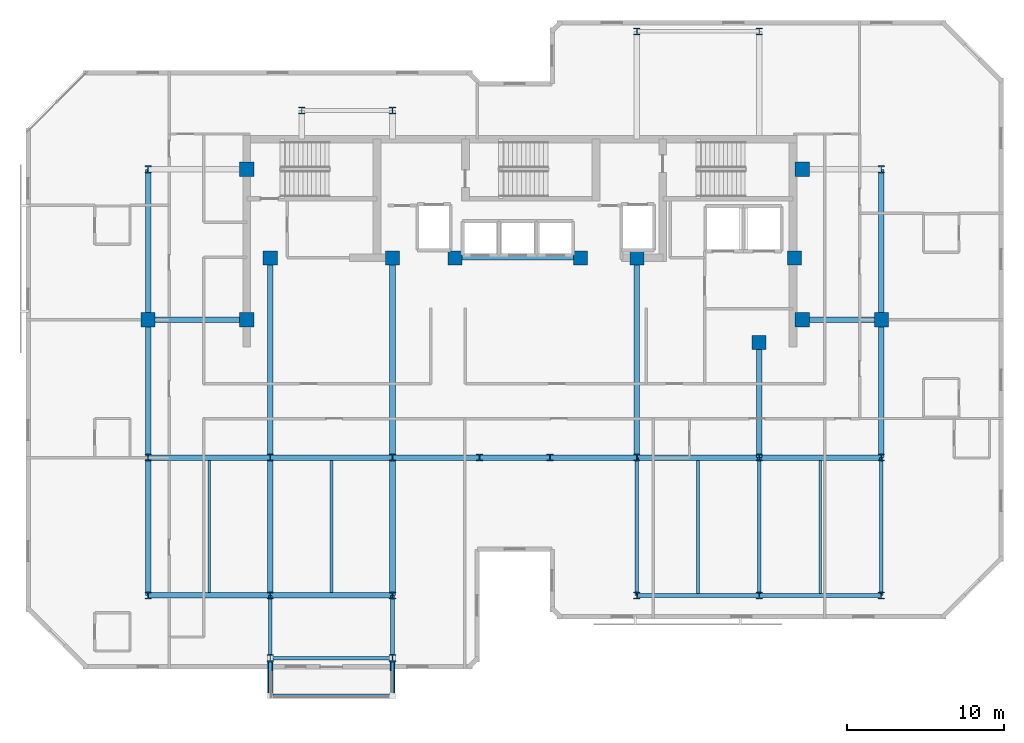
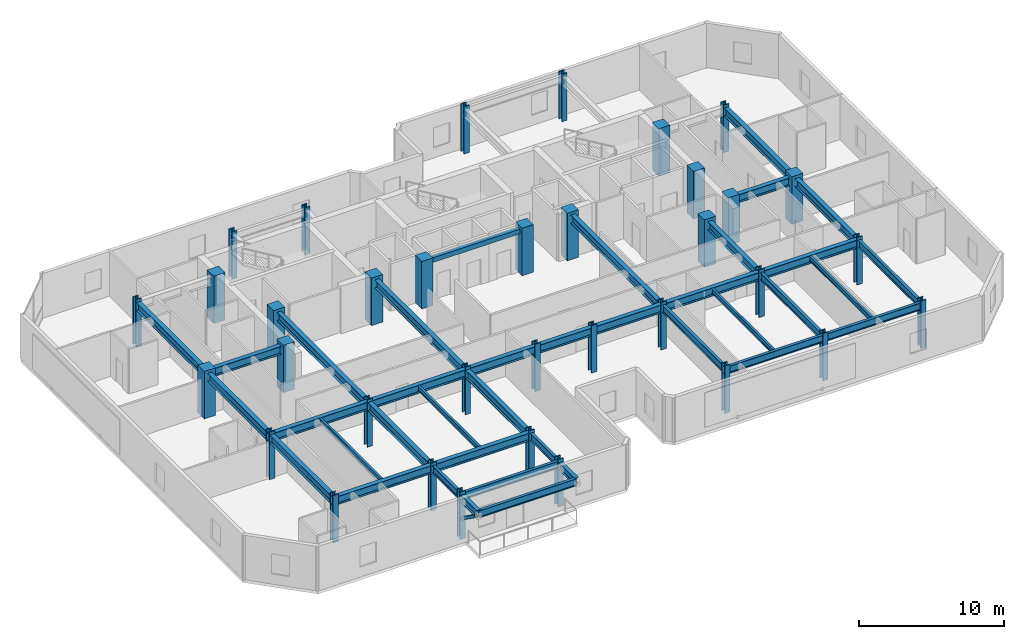
# One storey, part 1 of 10: 38 beams, 35 columns, 2 members.
"""IFC4 building model written with IfcOpenShell, lengths in metres."""

from ifc_helpers import new_model, si_unit, direction, frame, origin, origin_2d, place, context, subcontext, project, spatial, rectangle, hollow_rectangle, i_section, extrude, material, material_profile, profile_set, type_object, element, save


model = new_model("IFC4")

# Units and contexts
model_context = context("Model", 3, precision=1e-05, world=origin(), true_north=direction((0.0, 1.0)))
body_context = subcontext(model_context, "Body", "Model", "MODEL_VIEW")
ifc_project = project(units=[si_unit("LENGTHUNIT", "METRE"), si_unit("AREAUNIT", "SQUARE_METRE"), si_unit("VOLUMEUNIT", "CUBIC_METRE"), si_unit("PLANEANGLEUNIT", "RADIAN"), si_unit("MASSUNIT", "GRAM", prefix="KILO")], contexts=[model_context])

# Site, building, storey
site_placement = place(None, origin())
site = spatial("IfcSite", under=ifc_project, at=site_placement, CompositionType="ELEMENT")
building_placement = place(site_placement, origin())
building = spatial("IfcBuilding", under=site, at=building_placement, Name="Kestravale Grand Hotel", CompositionType="ELEMENT")
storey_placement = place(building_placement, frame((0.0, 0.0, 277.39990234375)))
storey = spatial("IfcBuildingStorey", under=building, at=storey_placement, Name="L69", CompositionType="ELEMENT", Elevation=277.39990234375)

# Columns
ifc_material_1 = material(Name="Concrete f'c 50 MPa", Category="concrete")
ifc_material_profile_1 = material_profile(ifc_material_1, rectangle(XDim=0.89990234375, YDim=0.89990234375, at=origin_2d()))
ifc_profile_set_1 = profile_set([ifc_material_profile_1], Name="Concrete f'c 50 MPa")
column_type_1 = type_object("IfcColumnType", Name="C-Z4-900", PredefinedType="COLUMN", material=ifc_profile_set_1)
for number, where, z_axis, x_axis, name in (
    (1, (15.60009765625, 28.800048828125, 0.0), (0.0, 0.0, 1.0), (1.0, 0.0, 0.0), "L69 column 3-E"),
    (2, (62.39990234375, 28.800048828125, 0.0), (0.0, 0.0, 1.0), (1.0, 0.0, 0.0), "L69 column 10-E"),
    (3, (21.89990234375, 28.800048828125, 0.0), (0.0, 0.0, 1.0), (1.0, 0.0, 0.0), "L69 column CW-E"),
    (4, (21.89990234375, 38.39990234375, 0.0), (0.0, 0.0, 1.0), (1.0, 0.0, 0.0), "L69 column CW-F"),
    (5, (57.35009765625, 28.800048828125, 0.0), (0.0, 0.0, 1.0), (1.0, 0.0, 0.0), "L69 column CE-E"),
    (6, (57.35009765625, 38.39990234375, 0.0), (0.0, 0.0, 1.0), (1.0, 0.0, 0.0), "L69 column CE-F"),
    (7, (23.39990234375, 32.75, 0.0), (0.0, 0.0, 1.0), (1.0, 0.0, 0.0), "L69 column 4-CS"),
    (8, (31.199951171875, 32.75, 0.0), (0.0, 0.0, 1.0), (1.0, 0.0, 0.0), "L69 column 5-CS"),
    (9, (35.199951171875, 32.75, 0.0), (0.0, 0.0, 1.0), (1.0, 0.0, 0.0), "L69 column 6C-CS"),
    (10, (43.199951171875, 32.75, 0.0), (0.0, 0.0, 1.0), (1.0, 0.0, 0.0), "L69 column 7C-CS"),
    (11, (46.800048828125, 32.75, 0.0), (0.0, 0.0, 1.0), (1.0, 0.0, 0.0), "L69 column 8-CS"),
    (12, (54.60009765625, 27.35009765625, 0.0), (0.0, 0.0, 1.0), (1.0, 0.0, 0.0), "L69 column 9-CS"),
    (13, (56.85009765625, 32.75, 0.0), (0.0, 0.0, 1.0), (1.0, 0.0, 0.0), "L69 column 9C-CS"),
):
    element("IfcColumn", number, at=place(storey_placement, frame(where, z_axis=z_axis, x_axis=x_axis)), inside=storey, type_object=column_type_1, Name=name, PredefinedType="COLUMN", context=body_context, shape_type="SweptSolid", body=[
        extrude(rectangle(XDim=0.89990234375, YDim=0.89990234375, at=origin_2d()), origin(), (0.0, 0.0, 1.0), 4.0),
    ])
ifc_material_2 = material(Name="Steel ASTM A992 Grade 50", Category="steel")
ifc_material_profile_2 = material_profile(ifc_material_2, i_section(OverallWidth=0.422119140625, OverallDepth=0.465087890625, WebThickness=0.044921875, FlangeThickness=0.072509765625, FilletRadius=0.0166015625, at=origin_2d()))
ifc_profile_set_2 = profile_set([ifc_material_profile_2], Name="Steel ASTM A992 Grade 50")
column_type_2 = type_object("IfcColumnType", Name="C-Z4-W14X398", PredefinedType="COLUMN", material=ifc_profile_set_2)
for number, where, z_axis, x_axis, name in (
    (14, (15.60009765625, 11.199951171875, 0.0), (0.0, 0.0, 1.0), (1.0, 0.0, 0.0), "L69 column 3-C"),
    (15, (15.60009765625, 20.0, 0.0), (0.0, 0.0, 1.0), (1.0, 0.0, 0.0), "L69 column 3-D"),
    (16, (15.60009765625, 38.39990234375, 0.0), (0.0, 0.0, 1.0), (1.0, 0.0, 0.0), "L69 column 3-F"),
    (17, (23.39990234375, 11.199951171875, 0.0), (0.0, 0.0, 1.0), (1.0, 0.0, 0.0), "L69 column 4-C"),
    (18, (23.39990234375, 20.0, 0.0), (0.0, 0.0, 1.0), (1.0, 0.0, 0.0), "L69 column 4-D"),
    (19, (31.199951171875, 11.199951171875, 0.0), (0.0, 0.0, 1.0), (1.0, 0.0, 0.0), "L69 column 5-C"),
    (20, (31.199951171875, 20.0, 0.0), (0.0, 0.0, 1.0), (1.0, 0.0, 0.0), "L69 column 5-D"),
    (21, (36.75, 20.0, 0.0), (0.0, 0.0, 1.0), (1.0, 0.0, 0.0), "L69 column 6-D"),
    (22, (41.25, 20.0, 0.0), (0.0, 0.0, 1.0), (1.0, 0.0, 0.0), "L69 column 7-D"),
    (23, (46.800048828125, 11.199951171875, 0.0), (0.0, 0.0, 1.0), (1.0, 0.0, 0.0), "L69 column 8-C"),
    (24, (46.800048828125, 20.0, 0.0), (0.0, 0.0, 1.0), (1.0, 0.0, 0.0), "L69 column 8-D"),
    (25, (46.800048828125, 47.199951171875, 0.0), (0.0, 0.0, 1.0), (1.0, 0.0, 0.0), "L69 column 8-G"),
    (26, (54.60009765625, 11.199951171875, 0.0), (0.0, 0.0, 1.0), (1.0, 0.0, 0.0), "L69 column 9-C"),
    (27, (54.60009765625, 20.0, 0.0), (0.0, 0.0, 1.0), (1.0, 0.0, 0.0), "L69 column 9-D"),
    (28, (54.60009765625, 47.199951171875, 0.0), (0.0, 0.0, 1.0), (1.0, 0.0, 0.0), "L69 column 9-G"),
    (29, (62.39990234375, 11.199951171875, 0.0), (0.0, 0.0, 1.0), (1.0, 0.0, 0.0), "L69 column 10-C"),
    (30, (62.39990234375, 20.0, 0.0), (0.0, 0.0, 1.0), (1.0, 0.0, 0.0), "L69 column 10-D"),
    (31, (62.39990234375, 38.39990234375, 0.0), (0.0, 0.0, 1.0), (1.0, 0.0, 0.0), "L69 column 10-F"),
    (32, (23.39990234375, 7.199951171875, 0.0), (0.0, 0.0, 1.0), (1.0, 0.0, 0.0), "L69 column 4-BS"),
    (33, (31.199951171875, 7.199951171875, 0.0), (0.0, 0.0, 1.0), (1.0, 0.0, 0.0), "L69 column 5-BS"),
    (34, (25.39990234375, 42.14990234375, 0.0), (0.0, 0.0, 1.0), (1.0, 0.0, 0.0), "L69 column 4-FN"),
    (35, (31.199951171875, 42.14990234375, 0.0), (0.0, 0.0, 1.0), (1.0, 0.0, 0.0), "L69 column 5-FN"),
):
    element("IfcColumn", number, at=place(storey_placement, frame(where, z_axis=z_axis, x_axis=x_axis)), inside=storey, type_object=column_type_2, Name=name, PredefinedType="COLUMN", context=body_context, shape_type="SweptSolid", body=[
        extrude(i_section(OverallWidth=0.422119140625, OverallDepth=0.465087890625, WebThickness=0.044921875, FlangeThickness=0.072509765625, FilletRadius=0.0166015625, at=origin_2d()), origin(), (0.0, 0.0, 1.0), 4.0),
    ])

# Beams
ifc_material_3 = material(Name="Steel ASTM A992 Grade 50", Category="steel")
ifc_material_profile_3 = material_profile(ifc_material_3, i_section(OverallWidth=0.177978515625, OverallDepth=0.404052734375, WebThickness=0.007568359375, FlangeThickness=0.010986328125, FilletRadius=0.01416015625, at=origin_2d()))
ifc_profile_set_3 = profile_set([ifc_material_profile_3], Name="Steel ASTM A992 Grade 50")
beam_type_1 = type_object("IfcBeamType", Name="B-FLR-JST16", PredefinedType="JOIST", material=ifc_profile_set_3)
for number, where, z_axis, x_axis, name in (
    (36, (19.5, 11.3779296875, 3.55810546875), (0.0, 1.0, 0.0), (-1.0, 0.0, 0.0), "L69 floor joist 3-4/C-D #1"),
    (37, (27.300048828125, 11.3779296875, 3.55810546875), (0.0, 1.0, 0.0), (-1.0, 0.0, 0.0), "L69 floor joist 4-5/C-D #1"),
):
    element("IfcBeam", number, at=place(storey_placement, frame(where, z_axis=z_axis, x_axis=x_axis)), inside=storey, type_object=beam_type_1, Name=name, PredefinedType="JOIST", context=body_context, shape_type="SweptSolid", body=[
        extrude(i_section(OverallWidth=0.177978515625, OverallDepth=0.404052734375, WebThickness=0.007568359375, FlangeThickness=0.010986328125, FilletRadius=0.01416015625, at=origin_2d()), origin(), (0.0, 0.0, 1.0), 8.444091796875),
    ])
for number, where, z_axis, x_axis, name in (
    (38, (50.699951171875, 11.314453125, 3.55810546875), (0.0, 1.0, 0.0), (-1.0, 0.0, 0.0), "L69 floor joist 8-9/C-D #1"),
    (39, (58.5, 11.314453125, 3.55810546875), (0.0, 1.0, 0.0), (-1.0, 0.0, 0.0), "L69 floor joist 9-10/C-D #1"),
):
    element("IfcBeam", number, at=place(storey_placement, frame(where, z_axis=z_axis, x_axis=x_axis)), inside=storey, type_object=beam_type_1, Name=name, PredefinedType="JOIST", context=body_context, shape_type="SweptSolid", body=[
        extrude(i_section(OverallWidth=0.177978515625, OverallDepth=0.404052734375, WebThickness=0.007568359375, FlangeThickness=0.010986328125, FilletRadius=0.01416015625, at=origin_2d()), origin(), (0.0, 0.0, 1.0), 8.507568359375),
    ])
ifc_material_4 = material(Name="Concrete f'c 45 MPa", Category="concrete")
ifc_material_profile_4 = material_profile(ifc_material_4, rectangle(XDim=0.300048828125, YDim=0.39990234375, at=origin_2d()))
ifc_profile_set_4 = profile_set([ifc_material_profile_4], Name="Concrete f'c 45 MPa")
beam_type_2 = type_object("IfcBeamType", Name="B-FLR-LNT400", PredefinedType="LINTEL", material=ifc_profile_set_4)
beam_1_placement = place(storey_placement, frame((35.199951171875, 32.75, 3.56005859375), z_axis=(1.0, 0.0, 0.0), x_axis=(0.0, 1.0, 0.0)))
element("IfcBeam", 40, at=beam_1_placement, inside=storey, type_object=beam_type_2, Name="L69 core portal header lintel", PredefinedType="LINTEL", context=body_context, shape_type="SweptSolid", body=[
    extrude(rectangle(XDim=0.300048828125, YDim=0.39990234375, at=origin_2d()), origin(), (0.0, 0.0, 1.0), 8.0),
])
ifc_material_5 = material(Name="Steel ASTM A992 Grade 50", Category="steel")
ifc_material_profile_5 = material_profile(ifc_material_5, i_section(OverallWidth=0.324951171875, OverallDepth=0.612060546875, WebThickness=0.0126953125, FlangeThickness=0.01904296875, FilletRadius=0.018798828125, at=origin_2d()))
ifc_profile_set_5 = profile_set([ifc_material_profile_5], Name="Steel ASTM A992 Grade 50")
beam_type_3 = type_object("IfcBeamType", Name="B-FLR-W24A", PredefinedType="SPANDREL", material=ifc_profile_set_5)
for number, where, z_axis, x_axis, name in (
    (41, (23.39990234375, 7.199951171875, 3.424072265625), (0.0, -1.0, 0.0), (1.0, 0.0, 0.0), "L70 terrace cantilever beam 1"),
    (42, (31.199951171875, 7.199951171875, 3.424072265625), (0.0, -1.0, 0.0), (1.0, 0.0, 0.0), "L70 terrace cantilever beam 2"),
):
    element("IfcBeam", number, at=place(storey_placement, frame(where, z_axis=z_axis, x_axis=x_axis)), inside=storey, type_object=beam_type_3, Name=name, PredefinedType="SPANDREL", context=body_context, shape_type="SweptSolid", body=[
        extrude(i_section(OverallWidth=0.324951171875, OverallDepth=0.612060546875, WebThickness=0.0126953125, FlangeThickness=0.01904296875, FilletRadius=0.018798828125, at=origin_2d()), origin(), (0.0, 0.0, 1.0), 2.39990234375),
    ])
ifc_material_6 = material(Name="Steel ASTM A992 Grade 50", Category="steel")
ifc_material_profile_6 = material_profile(ifc_material_6, i_section(OverallWidth=0.22900390625, OverallDepth=0.612060546875, WebThickness=0.011962890625, FlangeThickness=0.01953125, FilletRadius=0.019287109375, at=origin_2d()))
ifc_profile_set_6 = profile_set([ifc_material_profile_6], Name="Steel ASTM A992 Grade 50")
beam_type_4 = type_object("IfcBeamType", Name="B-FLR-W24B", PredefinedType="SPANDREL", material=ifc_profile_set_6)
beam_2_placement = place(storey_placement, frame((46.800048828125, 11.199951171875, 3.4541015625), z_axis=(1.0, 0.0, 0.0), x_axis=(0.0, 1.0, 0.0)))
element("IfcBeam", 43, at=beam_2_placement, inside=storey, type_object=beam_type_4, Name="L69 spandrel C:8-9", PredefinedType="SPANDREL", context=body_context, shape_type="SweptSolid", body=[
    extrude(i_section(OverallWidth=0.22900390625, OverallDepth=0.612060546875, WebThickness=0.011962890625, FlangeThickness=0.01953125, FilletRadius=0.019287109375, at=origin_2d()), origin(), (0.0, 0.0, 1.0), 7.800048828125),
])
beam_3_placement = place(storey_placement, frame((54.60009765625, 11.199951171875, 3.4541015625), z_axis=(1.0, 0.0, 0.0), x_axis=(0.0, 1.0, 0.0)))
element("IfcBeam", 44, at=beam_3_placement, inside=storey, type_object=beam_type_4, Name="L69 spandrel C:9-10", PredefinedType="SPANDREL", context=body_context, shape_type="SweptSolid", body=[
    extrude(i_section(OverallWidth=0.22900390625, OverallDepth=0.612060546875, WebThickness=0.011962890625, FlangeThickness=0.01953125, FilletRadius=0.019287109375, at=origin_2d()), origin(), (0.0, 0.0, 1.0), 7.7998046875),
])
beam_4_placement = place(storey_placement, frame((23.39990234375, 7.199951171875, 3.4541015625), z_axis=(1.0, 0.0, 0.0), x_axis=(0.0, 1.0, 0.0)))
element("IfcBeam", 45, at=beam_4_placement, inside=storey, type_object=beam_type_4, Name="L69 perimeter tie spandrel BS:4-5", PredefinedType="SPANDREL", context=body_context, shape_type="SweptSolid", body=[
    extrude(i_section(OverallWidth=0.22900390625, OverallDepth=0.612060546875, WebThickness=0.011962890625, FlangeThickness=0.01953125, FilletRadius=0.019287109375, at=origin_2d()), origin(), (0.0, 0.0, 1.0), 7.800048828125),
])
for number, where, z_axis, x_axis, name in (
    (46, (23.39990234375, 7.199951171875, 3.4541015625), (0.0, 1.0, 0.0), (-1.0, 0.0, 0.0), "L69 spandrel 4:BS-C"),
    (47, (31.199951171875, 7.199951171875, 3.4541015625), (0.0, 1.0, 0.0), (-1.0, 0.0, 0.0), "L69 spandrel 5:BS-C"),
):
    element("IfcBeam", number, at=place(storey_placement, frame(where, z_axis=z_axis, x_axis=x_axis)), inside=storey, type_object=beam_type_4, Name=name, PredefinedType="SPANDREL", context=body_context, shape_type="SweptSolid", body=[
        extrude(i_section(OverallWidth=0.22900390625, OverallDepth=0.612060546875, WebThickness=0.011962890625, FlangeThickness=0.01953125, FilletRadius=0.019287109375, at=origin_2d()), origin(), (0.0, 0.0, 1.0), 4.0),
    ])
for number, where, z_axis, x_axis, name in (
    (48, (46.800048828125, 11.199951171875, 3.4541015625), (0.0, 1.0, 0.0), (-1.0, 0.0, 0.0), "L69 spandrel 8:C-D"),
    (49, (54.60009765625, 11.199951171875, 3.4541015625), (0.0, 1.0, 0.0), (-1.0, 0.0, 0.0), "L69 spandrel 9:C-D"),
    (50, (62.39990234375, 11.199951171875, 3.4541015625), (0.0, 1.0, 0.0), (-1.0, 0.0, 0.0), "L69 spandrel 10:C-D"),
):
    element("IfcBeam", number, at=place(storey_placement, frame(where, z_axis=z_axis, x_axis=x_axis)), inside=storey, type_object=beam_type_4, Name=name, PredefinedType="SPANDREL", context=body_context, shape_type="SweptSolid", body=[
        extrude(i_section(OverallWidth=0.22900390625, OverallDepth=0.612060546875, WebThickness=0.011962890625, FlangeThickness=0.01953125, FilletRadius=0.019287109375, at=origin_2d()), origin(), (0.0, 0.0, 1.0), 8.800048828125),
    ])
beam_5_placement = place(storey_placement, frame((23.39990234375, 4.800048828125, 3.424072265625), z_axis=(1.0, 0.0, 0.0), x_axis=(0.0, 1.0, 0.0)))
element("IfcBeam", 51, at=beam_5_placement, inside=storey, type_object=beam_type_4, Name="L70 terrace edge spandrel", PredefinedType="SPANDREL", context=body_context, shape_type="SweptSolid", body=[
    extrude(i_section(OverallWidth=0.22900390625, OverallDepth=0.612060546875, WebThickness=0.011962890625, FlangeThickness=0.01953125, FilletRadius=0.019287109375, at=origin_2d()), origin(), (0.0, 0.0, 1.0), 7.800048828125),
])
ifc_material_7 = material(Name="Steel ASTM A992 Grade 50", Category="steel")
ifc_material_profile_7 = material_profile(ifc_material_7, i_section(OverallWidth=0.35595703125, OverallDepth=0.696044921875, WebThickness=0.015380859375, FlangeThickness=0.02490234375, FilletRadius=0.021240234375, at=origin_2d()))
ifc_profile_set_7 = profile_set([ifc_material_profile_7], Name="Steel ASTM A992 Grade 50")
beam_type_5 = type_object("IfcBeamType", Name="B-GRD-W27", PredefinedType="BEAM", material=ifc_profile_set_7)
beam_6_placement = place(storey_placement, frame((15.60009765625, 11.199951171875, 3.412109375), z_axis=(1.0, 0.0, 0.0), x_axis=(0.0, 1.0, 0.0)))
element("IfcBeam", 52, at=beam_6_placement, inside=storey, type_object=beam_type_5, Name="L69 girder C:3-4", PredefinedType="BEAM", context=body_context, shape_type="SweptSolid", body=[
    extrude(i_section(OverallWidth=0.35595703125, OverallDepth=0.696044921875, WebThickness=0.015380859375, FlangeThickness=0.02490234375, FilletRadius=0.021240234375, at=origin_2d()), origin(), (0.0, 0.0, 1.0), 7.7998046875),
])
beam_7_placement = place(storey_placement, frame((23.39990234375, 11.199951171875, 3.412109375), z_axis=(1.0, 0.0, 0.0), x_axis=(0.0, 1.0, 0.0)))
element("IfcBeam", 53, at=beam_7_placement, inside=storey, type_object=beam_type_5, Name="L69 girder C:4-5", PredefinedType="BEAM", context=body_context, shape_type="SweptSolid", body=[
    extrude(i_section(OverallWidth=0.35595703125, OverallDepth=0.696044921875, WebThickness=0.015380859375, FlangeThickness=0.02490234375, FilletRadius=0.021240234375, at=origin_2d()), origin(), (0.0, 0.0, 1.0), 7.800048828125),
])
beam_8_placement = place(storey_placement, frame((15.60009765625, 20.0, 3.412109375), z_axis=(1.0, 0.0, 0.0), x_axis=(0.0, 1.0, 0.0)))
element("IfcBeam", 54, at=beam_8_placement, inside=storey, type_object=beam_type_5, Name="L69 girder D:3-4", PredefinedType="BEAM", context=body_context, shape_type="SweptSolid", body=[
    extrude(i_section(OverallWidth=0.35595703125, OverallDepth=0.696044921875, WebThickness=0.015380859375, FlangeThickness=0.02490234375, FilletRadius=0.021240234375, at=origin_2d()), origin(), (0.0, 0.0, 1.0), 7.7998046875),
])
beam_9_placement = place(storey_placement, frame((23.39990234375, 20.0, 3.412109375), z_axis=(1.0, 0.0, 0.0), x_axis=(0.0, 1.0, 0.0)))
element("IfcBeam", 55, at=beam_9_placement, inside=storey, type_object=beam_type_5, Name="L69 girder D:4-5", PredefinedType="BEAM", context=body_context, shape_type="SweptSolid", body=[
    extrude(i_section(OverallWidth=0.35595703125, OverallDepth=0.696044921875, WebThickness=0.015380859375, FlangeThickness=0.02490234375, FilletRadius=0.021240234375, at=origin_2d()), origin(), (0.0, 0.0, 1.0), 7.800048828125),
])
beam_10_placement = place(storey_placement, frame((31.199951171875, 20.0, 3.412109375), z_axis=(1.0, 0.0, 0.0), x_axis=(0.0, 1.0, 0.0)))
element("IfcBeam", 56, at=beam_10_placement, inside=storey, type_object=beam_type_5, Name="L69 girder D:5-6", PredefinedType="BEAM", context=body_context, shape_type="SweptSolid", body=[
    extrude(i_section(OverallWidth=0.35595703125, OverallDepth=0.696044921875, WebThickness=0.015380859375, FlangeThickness=0.02490234375, FilletRadius=0.021240234375, at=origin_2d()), origin(), (0.0, 0.0, 1.0), 5.550048828125),
])
beam_11_placement = place(storey_placement, frame((36.75, 20.0, 3.412109375), z_axis=(1.0, 0.0, 0.0), x_axis=(0.0, 1.0, 0.0)))
element("IfcBeam", 57, at=beam_11_placement, inside=storey, type_object=beam_type_5, Name="L69 girder D:6-7", PredefinedType="BEAM", context=body_context, shape_type="SweptSolid", body=[
    extrude(i_section(OverallWidth=0.35595703125, OverallDepth=0.696044921875, WebThickness=0.015380859375, FlangeThickness=0.02490234375, FilletRadius=0.021240234375, at=origin_2d()), origin(), (0.0, 0.0, 1.0), 4.5),
])
beam_12_placement = place(storey_placement, frame((41.25, 20.0, 3.412109375), z_axis=(1.0, 0.0, 0.0), x_axis=(0.0, 1.0, 0.0)))
element("IfcBeam", 58, at=beam_12_placement, inside=storey, type_object=beam_type_5, Name="L69 girder D:7-8", PredefinedType="BEAM", context=body_context, shape_type="SweptSolid", body=[
    extrude(i_section(OverallWidth=0.35595703125, OverallDepth=0.696044921875, WebThickness=0.015380859375, FlangeThickness=0.02490234375, FilletRadius=0.021240234375, at=origin_2d()), origin(), (0.0, 0.0, 1.0), 5.550048828125),
])
beam_13_placement = place(storey_placement, frame((46.800048828125, 20.0, 3.412109375), z_axis=(1.0, 0.0, 0.0), x_axis=(0.0, 1.0, 0.0)))
element("IfcBeam", 59, at=beam_13_placement, inside=storey, type_object=beam_type_5, Name="L69 girder D:8-9", PredefinedType="BEAM", context=body_context, shape_type="SweptSolid", body=[
    extrude(i_section(OverallWidth=0.35595703125, OverallDepth=0.696044921875, WebThickness=0.015380859375, FlangeThickness=0.02490234375, FilletRadius=0.021240234375, at=origin_2d()), origin(), (0.0, 0.0, 1.0), 7.800048828125),
])
beam_14_placement = place(storey_placement, frame((54.60009765625, 20.0, 3.412109375), z_axis=(1.0, 0.0, 0.0), x_axis=(0.0, 1.0, 0.0)))
element("IfcBeam", 60, at=beam_14_placement, inside=storey, type_object=beam_type_5, Name="L69 girder D:9-10", PredefinedType="BEAM", context=body_context, shape_type="SweptSolid", body=[
    extrude(i_section(OverallWidth=0.35595703125, OverallDepth=0.696044921875, WebThickness=0.015380859375, FlangeThickness=0.02490234375, FilletRadius=0.021240234375, at=origin_2d()), origin(), (0.0, 0.0, 1.0), 7.7998046875),
])
beam_15_placement = place(storey_placement, frame((15.60009765625, 28.800048828125, 3.412109375), z_axis=(1.0, 0.0, 0.0), x_axis=(0.0, 1.0, 0.0)))
element("IfcBeam", 61, at=beam_15_placement, inside=storey, type_object=beam_type_5, Name="L69 girder E:3-CW", PredefinedType="BEAM", context=body_context, shape_type="SweptSolid", body=[
    extrude(i_section(OverallWidth=0.35595703125, OverallDepth=0.696044921875, WebThickness=0.015380859375, FlangeThickness=0.02490234375, FilletRadius=0.021240234375, at=origin_2d()), origin(), (0.0, 0.0, 1.0), 6.2998046875),
])
beam_16_placement = place(storey_placement, frame((57.35009765625, 28.800048828125, 3.412109375), z_axis=(1.0, 0.0, 0.0), x_axis=(0.0, 1.0, 0.0)))
element("IfcBeam", 62, at=beam_16_placement, inside=storey, type_object=beam_type_5, Name="L69 girder E:CE-10", PredefinedType="BEAM", context=body_context, shape_type="SweptSolid", body=[
    extrude(i_section(OverallWidth=0.35595703125, OverallDepth=0.696044921875, WebThickness=0.015380859375, FlangeThickness=0.02490234375, FilletRadius=0.021240234375, at=origin_2d()), origin(), (0.0, 0.0, 1.0), 5.0498046875),
])
for number, where, z_axis, x_axis, name in (
    (63, (15.60009765625, 11.199951171875, 3.412109375), (0.0, 1.0, 0.0), (-1.0, 0.0, 0.0), "L69 girder 3:C-D"),
    (64, (15.60009765625, 20.0, 3.412109375), (0.0, 1.0, 0.0), (-1.0, 0.0, 0.0), "L69 girder 3:D-E"),
):
    element("IfcBeam", number, at=place(storey_placement, frame(where, z_axis=z_axis, x_axis=x_axis)), inside=storey, type_object=beam_type_5, Name=name, PredefinedType="BEAM", context=body_context, shape_type="SweptSolid", body=[
        extrude(i_section(OverallWidth=0.35595703125, OverallDepth=0.696044921875, WebThickness=0.015380859375, FlangeThickness=0.02490234375, FilletRadius=0.021240234375, at=origin_2d()), origin(), (0.0, 0.0, 1.0), 8.800048828125),
    ])
beam_17_placement = place(storey_placement, frame((15.60009765625, 28.800048828125, 3.412109375), z_axis=(0.0, 1.0, 0.0), x_axis=(-1.0, 0.0, 0.0)))
element("IfcBeam", 65, at=beam_17_placement, inside=storey, type_object=beam_type_5, Name="L69 girder 3:E-F", PredefinedType="BEAM", context=body_context, shape_type="SweptSolid", body=[
    extrude(i_section(OverallWidth=0.35595703125, OverallDepth=0.696044921875, WebThickness=0.015380859375, FlangeThickness=0.02490234375, FilletRadius=0.021240234375, at=origin_2d()), origin(), (0.0, 0.0, 1.0), 9.599853515625),
])
beam_18_placement = place(storey_placement, frame((23.39990234375, 11.199951171875, 3.412109375), z_axis=(0.0, 1.0, 0.0), x_axis=(-1.0, 0.0, 0.0)))
element("IfcBeam", 66, at=beam_18_placement, inside=storey, type_object=beam_type_5, Name="L69 girder 4:C-D", PredefinedType="BEAM", context=body_context, shape_type="SweptSolid", body=[
    extrude(i_section(OverallWidth=0.35595703125, OverallDepth=0.696044921875, WebThickness=0.015380859375, FlangeThickness=0.02490234375, FilletRadius=0.021240234375, at=origin_2d()), origin(), (0.0, 0.0, 1.0), 8.800048828125),
])
beam_19_placement = place(storey_placement, frame((23.39990234375, 20.0, 3.412109375), z_axis=(0.0, 1.0, 0.0), x_axis=(-1.0, 0.0, 0.0)))
element("IfcBeam", 67, at=beam_19_placement, inside=storey, type_object=beam_type_5, Name="L69 girder 4:D-CS", PredefinedType="BEAM", context=body_context, shape_type="SweptSolid", body=[
    extrude(i_section(OverallWidth=0.35595703125, OverallDepth=0.696044921875, WebThickness=0.015380859375, FlangeThickness=0.02490234375, FilletRadius=0.021240234375, at=origin_2d()), origin(), (0.0, 0.0, 1.0), 12.75),
])
beam_20_placement = place(storey_placement, frame((31.199951171875, 11.199951171875, 3.412109375), z_axis=(0.0, 1.0, 0.0), x_axis=(-1.0, 0.0, 0.0)))
element("IfcBeam", 68, at=beam_20_placement, inside=storey, type_object=beam_type_5, Name="L69 girder 5:C-D", PredefinedType="BEAM", context=body_context, shape_type="SweptSolid", body=[
    extrude(i_section(OverallWidth=0.35595703125, OverallDepth=0.696044921875, WebThickness=0.015380859375, FlangeThickness=0.02490234375, FilletRadius=0.021240234375, at=origin_2d()), origin(), (0.0, 0.0, 1.0), 8.800048828125),
])
for number, where, z_axis, x_axis, name in (
    (69, (31.199951171875, 20.0, 3.412109375), (0.0, 1.0, 0.0), (-1.0, 0.0, 0.0), "L69 girder 5:D-CS"),
    (70, (46.800048828125, 20.0, 3.412109375), (0.0, 1.0, 0.0), (-1.0, 0.0, 0.0), "L69 girder 8:D-CS"),
):
    element("IfcBeam", number, at=place(storey_placement, frame(where, z_axis=z_axis, x_axis=x_axis)), inside=storey, type_object=beam_type_5, Name=name, PredefinedType="BEAM", context=body_context, shape_type="SweptSolid", body=[
        extrude(i_section(OverallWidth=0.35595703125, OverallDepth=0.696044921875, WebThickness=0.015380859375, FlangeThickness=0.02490234375, FilletRadius=0.021240234375, at=origin_2d()), origin(), (0.0, 0.0, 1.0), 12.75),
    ])
beam_21_placement = place(storey_placement, frame((54.60009765625, 20.0, 3.412109375), z_axis=(0.0, 1.0, 0.0), x_axis=(-1.0, 0.0, 0.0)))
element("IfcBeam", 71, at=beam_21_placement, inside=storey, type_object=beam_type_5, Name="L69 girder 9:D-CS", PredefinedType="BEAM", context=body_context, shape_type="SweptSolid", body=[
    extrude(i_section(OverallWidth=0.35595703125, OverallDepth=0.696044921875, WebThickness=0.015380859375, FlangeThickness=0.02490234375, FilletRadius=0.021240234375, at=origin_2d()), origin(), (0.0, 0.0, 1.0), 7.35009765625),
])
beam_22_placement = place(storey_placement, frame((62.39990234375, 20.0, 3.412109375), z_axis=(0.0, 1.0, 0.0), x_axis=(-1.0, 0.0, 0.0)))
element("IfcBeam", 72, at=beam_22_placement, inside=storey, type_object=beam_type_5, Name="L69 girder 10:D-E", PredefinedType="BEAM", context=body_context, shape_type="SweptSolid", body=[
    extrude(i_section(OverallWidth=0.35595703125, OverallDepth=0.696044921875, WebThickness=0.015380859375, FlangeThickness=0.02490234375, FilletRadius=0.021240234375, at=origin_2d()), origin(), (0.0, 0.0, 1.0), 8.800048828125),
])
beam_23_placement = place(storey_placement, frame((62.39990234375, 28.800048828125, 3.412109375), z_axis=(0.0, 1.0, 0.0), x_axis=(-1.0, 0.0, 0.0)))
element("IfcBeam", 73, at=beam_23_placement, inside=storey, type_object=beam_type_5, Name="L69 girder 10:E-F", PredefinedType="BEAM", context=body_context, shape_type="SweptSolid", body=[
    extrude(i_section(OverallWidth=0.35595703125, OverallDepth=0.696044921875, WebThickness=0.015380859375, FlangeThickness=0.02490234375, FilletRadius=0.021240234375, at=origin_2d()), origin(), (0.0, 0.0, 1.0), 9.599853515625),
])

# Members
ifc_material_8 = material(Name="Steel ASTM A500 Grade C", Category="steel")
ifc_material_profile_8 = material_profile(ifc_material_8, hollow_rectangle(XDim=0.25, YDim=0.25, WallThickness=0.011962890625, InnerFilletRadius=0.011962890625, OuterFilletRadius=0.02392578125, at=origin_2d()))
ifc_profile_set_8 = profile_set([ifc_material_profile_8], Name="Steel ASTM A500 Grade C")
member_type = type_object("IfcMemberType", Name="M-BLT-STR250", PredefinedType="STRUT", material=ifc_profile_set_8)
for number, where, z_axis, x_axis, name in (
    (74, (23.39990234375, 7.199951171875, 1.57421875), (0.0, -0.816021218136, 0.578021947292), (1.0, 0.0, 0.0), "L70 terrace knee-brace strut 1"),
    (75, (31.199951171875, 7.199951171875, 1.57421875), (0.0, -0.816021218136, 0.578021947292), (1.0, 0.0, 0.0), "L70 terrace knee-brace strut 2"),
):
    element("IfcMember", number, at=place(storey_placement, frame(where, z_axis=z_axis, x_axis=x_axis)), inside=storey, type_object=member_type, Name=name, PredefinedType="STRUT", context=body_context, shape_type="SweptSolid", body=[
        extrude(hollow_rectangle(XDim=0.25, YDim=0.25, WallThickness=0.011962890625, InnerFilletRadius=0.011962890625, OuterFilletRadius=0.02392578125, at=origin_2d()), origin(), (0.0, 0.0, 1.0), 2.94091796875),
    ])

save(model, "model.ifc")
